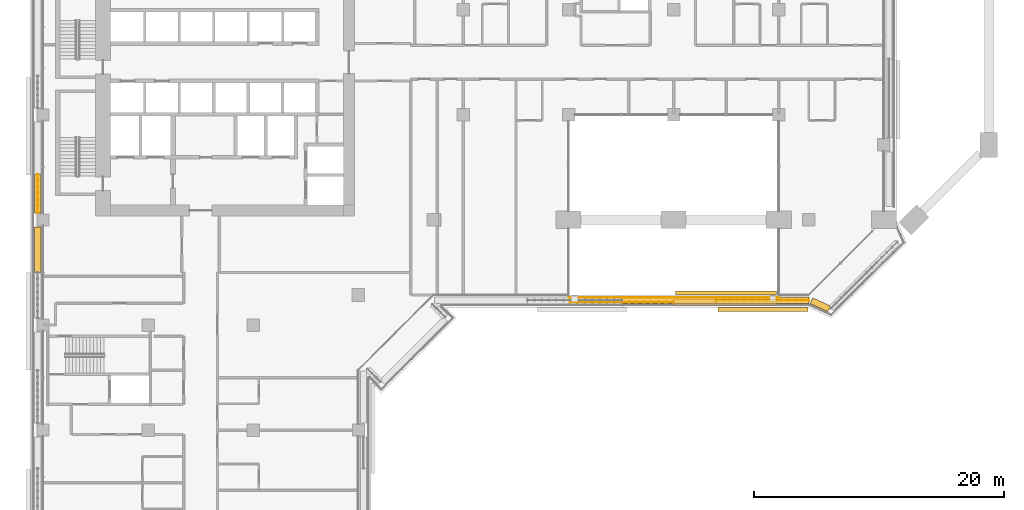
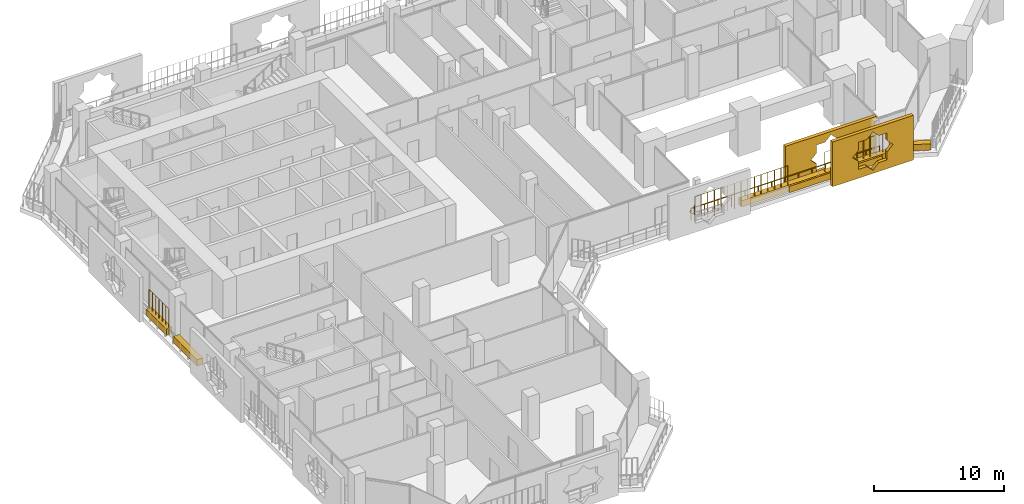
# One storey, part 21 of 24: 8 coverings, 4 railings.
"""IFC4 building model written with IfcOpenShell, lengths in metres."""

from ifc_helpers import new_model, si_unit, direction, frame, origin, origin_2d, place, context, subcontext, project, spatial, polyline, rectangle, circle, outline, extrude, material, material_profile, profile_set, type_object, element, save


model = new_model("IFC4")

# Units and contexts
model_context = context("Model", 3, precision=1e-05, world=origin(), true_north=direction((0.0, 1.0)))
body_context = subcontext(model_context, "Body", "Model", "MODEL_VIEW")
ifc_project = project(units=[si_unit("LENGTHUNIT", "METRE"), si_unit("AREAUNIT", "SQUARE_METRE"), si_unit("VOLUMEUNIT", "CUBIC_METRE"), si_unit("PLANEANGLEUNIT", "RADIAN"), si_unit("MASSUNIT", "GRAM", prefix="KILO")], contexts=[model_context])

# Site, building, storey
site_placement = place(None, origin())
site = spatial("IfcSite", under=ifc_project, at=site_placement, CompositionType="ELEMENT")
building_placement = place(site_placement, origin())
building = spatial("IfcBuilding", under=site, at=building_placement, Name="Kawkab Arch Medical Tower", CompositionType="ELEMENT")
storey_placement = place(building_placement, frame((0.0, 0.0, 162.60009765625)))
storey = spatial("IfcBuildingStorey", under=building, at=storey_placement, Name="L37", CompositionType="ELEMENT", Elevation=162.60009765625)

# Railing
ifc_material_1 = material(Name="Bronze anodised aluminium guard", Category="aluminium")
railing_type_1 = type_object("IfcRailingType", Name="Loggia and terrace guard 1100", PredefinedType="GUARDRAIL", material=ifc_material_1)
railing_1_placement = place(storey_placement, frame((42.030029296875, -31.39990234375, 0.0)))
element("IfcRailing", 1, at=railing_1_placement, inside=storey, type_object=railing_type_1, Name="Guard L37.LOG-01.1.1", PredefinedType="GUARDRAIL", context=body_context, shape_type="SweptSolid", body=[
    extrude(circle(Radius=0.02392578125, at=origin_2d()), frame((0.0, 0.0, 1.076171875), z_axis=(1.0, 0.0, 0.0), x_axis=(0.0, 1.0, 0.0)), (0.0, 0.0, 1.0), 16.739990234375),
    extrude(circle(Radius=0.02099609375, at=origin_2d()), origin(), (0.0, 0.0, 1.0), 1.052001953125),
    extrude(circle(Radius=0.02099609375, at=origin_2d()), frame((1.19580078125, 0.0, 0.0)), (0.0, 0.0, 1.0), 1.052001953125),
    extrude(circle(Radius=0.02099609375, at=origin_2d()), frame((2.391357421875, 0.0, 0.0)), (0.0, 0.0, 1.0), 1.052001953125),
    extrude(circle(Radius=0.02099609375, at=origin_2d()), frame((3.587158203125, 0.0, 0.0)), (0.0, 0.0, 1.0), 1.052001953125),
    extrude(circle(Radius=0.02099609375, at=origin_2d()), frame((4.782958984375, 0.0, 0.0)), (0.0, 0.0, 1.0), 1.052001953125),
    extrude(circle(Radius=0.02099609375, at=origin_2d()), frame((5.978515625, 0.0, 0.0)), (0.0, 0.0, 1.0), 1.052001953125),
    extrude(circle(Radius=0.02099609375, at=origin_2d()), frame((7.17431640625, 0.0, 0.0)), (0.0, 0.0, 1.0), 1.052001953125),
    extrude(circle(Radius=0.02099609375, at=origin_2d()), frame((8.3701171875, 0.0, 0.0)), (0.0, 0.0, 1.0), 1.052001953125),
    extrude(circle(Radius=0.02099609375, at=origin_2d()), frame((9.565673828125, 0.0, 0.0)), (0.0, 0.0, 1.0), 1.052001953125),
    extrude(circle(Radius=0.02099609375, at=origin_2d()), frame((10.761474609375, 0.0, 0.0)), (0.0, 0.0, 1.0), 1.052001953125),
    extrude(circle(Radius=0.02099609375, at=origin_2d()), frame((11.95703125, 0.0, 0.0)), (0.0, 0.0, 1.0), 1.052001953125),
    extrude(circle(Radius=0.02099609375, at=origin_2d()), frame((13.15283203125, 0.0, 0.0)), (0.0, 0.0, 1.0), 1.052001953125),
    extrude(circle(Radius=0.02099609375, at=origin_2d()), frame((14.3486328125, 0.0, 0.0)), (0.0, 0.0, 1.0), 1.052001953125),
    extrude(circle(Radius=0.02099609375, at=origin_2d()), frame((15.544189453125, 0.0, 0.0)), (0.0, 0.0, 1.0), 1.052001953125),
    extrude(circle(Radius=0.02099609375, at=origin_2d()), frame((16.739990234375, 0.0, 0.0)), (0.0, 0.0, 1.0), 1.052001953125),
])

# Coverings
ifc_material_2 = material(Name="Bronze anodised aluminium mashrabiya panel, eight-point star pattern", Category="aluminium")
ifc_material_profile_1 = material_profile(ifc_material_2, outline(polyline([(-3.60009765625, -2.10009765625), (3.60009765625, -2.10009765625), (3.60009765625, 2.10009765625), (-3.60009765625, 2.10009765625), (-3.60009765625, -2.10009765625)]), holes=[polyline([(1.800048828125, 0.0), (1.272705078125, 0.527099609375), (1.272705078125, 1.272705078125), (0.527099609375, 1.272705078125), (0.0, 1.800048828125), (-0.527099609375, 1.272705078125), (-1.272705078125, 1.272705078125), (-1.272705078125, 0.527099609375), (-1.800048828125, 0.0), (-1.272705078125, -0.527099609375), (-1.272705078125, -1.272705078125), (-0.527099609375, -1.272705078125), (0.0, -1.800048828125), (0.527099609375, -1.272705078125), (1.272705078125, -1.272705078125), (1.272705078125, -0.527099609375), (1.800048828125, 0.0)])]), Name="Mashrabiya panel 7200x4200")
ifc_profile_set_1 = profile_set([ifc_material_profile_1], Name="Bronze anodised aluminium mashrabiya panel, eight-point star pattern")
covering_type_1 = type_object("IfcCoveringType", Name="Mashrabiya panel 7200 x 4200", PredefinedType="USERDEFINED", material=ifc_profile_set_1)
covering_1_placement = place(storey_placement, frame((57.5546875, -32.199951171875, 1.699951171875), z_axis=(0.0, -1.0, 0.0), x_axis=(1.0, 0.0, 0.0)))
element("IfcCovering", 2, at=covering_1_placement, inside=storey, type_object=covering_type_1, Name="Mashrabiya panel L37.LOG-01-02.10", ObjectType="SCREEN", PredefinedType="USERDEFINED", context=body_context, shape_type="SweptSolid", body=[
    extrude(outline(polyline([(-3.60009765625, -2.10009765625), (3.60009765625, -2.10009765625), (3.60009765625, 2.10009765625), (-3.60009765625, 2.10009765625), (-3.60009765625, -2.10009765625)]), holes=[polyline([(1.800048828125, 0.0), (1.272705078125, 0.527099609375), (1.272705078125, 1.272705078125), (0.527099609375, 1.272705078125), (0.0, 1.800048828125), (-0.527099609375, 1.272705078125), (-1.272705078125, 1.272705078125), (-1.272705078125, 0.527099609375), (-1.800048828125, 0.0), (-1.272705078125, -0.527099609375), (-1.272705078125, -1.272705078125), (-0.527099609375, -1.272705078125), (0.0, -1.800048828125), (0.527099609375, -1.272705078125), (1.272705078125, -1.272705078125), (1.272705078125, -0.527099609375), (1.800048828125, 0.0)])]), origin(), (0.0, 0.0, 1.0), 0.300048828125),
])
ifc_material_3 = material(Name="Bronze anodised aluminium mashrabiya panel, eight-point star pattern", Category="aluminium")
ifc_material_profile_2 = material_profile(ifc_material_3, outline(polyline([(-4.050048828125, -2.10009765625), (4.050048828125, -2.10009765625), (4.050048828125, 2.10009765625), (-4.050048828125, 2.10009765625), (-4.050048828125, -2.10009765625)]), holes=[polyline([(1.800048828125, 0.0), (1.272705078125, 0.527099609375), (1.272705078125, 1.272705078125), (0.527099609375, 1.272705078125), (0.0, 1.800048828125), (-0.527099609375, 1.272705078125), (-1.272705078125, 1.272705078125), (-1.272705078125, 0.527099609375), (-1.800048828125, 0.0), (-1.272705078125, -0.527099609375), (-1.272705078125, -1.272705078125), (-0.527099609375, -1.272705078125), (0.0, -1.800048828125), (0.527099609375, -1.272705078125), (1.272705078125, -1.272705078125), (1.272705078125, -0.527099609375), (1.800048828125, 0.0)])]), Name="Mashrabiya panel 8100x4200")
ifc_profile_set_2 = profile_set([ifc_material_profile_2], Name="Bronze anodised aluminium mashrabiya panel, eight-point star pattern")
covering_type_2 = type_object("IfcCoveringType", Name="Mashrabiya panel 8100 x 4200", PredefinedType="USERDEFINED", material=ifc_profile_set_2)
covering_2_placement = place(storey_placement, frame((54.5849609375, -31.199951171875, 1.699951171875), z_axis=(0.0, 1.0, 0.0), x_axis=(-1.0, 0.0, 0.0)))
element("IfcCovering", 3, at=covering_2_placement, inside=storey, type_object=covering_type_2, Name="Mashrabiya panel L37.LOG-01-01.1", ObjectType="SCREEN", PredefinedType="USERDEFINED", context=body_context, shape_type="SweptSolid", body=[
    extrude(outline(polyline([(-4.050048828125, -2.10009765625), (4.050048828125, -2.10009765625), (4.050048828125, 2.10009765625), (-4.050048828125, 2.10009765625), (-4.050048828125, -2.10009765625)]), holes=[polyline([(1.800048828125, 0.0), (1.272705078125, 0.527099609375), (1.272705078125, 1.272705078125), (0.527099609375, 1.272705078125), (0.0, 1.800048828125), (-0.527099609375, 1.272705078125), (-1.272705078125, 1.272705078125), (-1.272705078125, 0.527099609375), (-1.800048828125, 0.0), (-1.272705078125, -0.527099609375), (-1.272705078125, -1.272705078125), (-0.527099609375, -1.272705078125), (0.0, -1.800048828125), (0.527099609375, -1.272705078125), (1.272705078125, -1.272705078125), (1.272705078125, -0.527099609375), (1.800048828125, 0.0)])]), origin(), (0.0, 0.0, 1.0), 0.300048828125),
])
ifc_material_4 = material(Name="Planting soil in a precast trough", Category="concrete")
ifc_material_profile_3 = material_profile(ifc_material_4, rectangle(XDim=0.5, YDim=0.60009765625, at=origin_2d()), Name="Trough 500x600")
ifc_profile_set_3 = profile_set([ifc_material_profile_3], Name="Planting soil in a precast trough")
covering_type_3 = type_object("IfcCoveringType", Name="Planter trough 500 x 600", PredefinedType="USERDEFINED", material=ifc_profile_set_3)
covering_3_placement = place(storey_placement, frame((50.39990234375, -31.780029296875, 0.2998046875), z_axis=(1.0, 0.0, 0.0), x_axis=(0.0, 1.0, 0.0)))
element("IfcCovering", 4, at=covering_3_placement, inside=storey, type_object=covering_type_3, Name="Planter L37.LOG-01-01.2", ObjectType="PLANTER", PredefinedType="USERDEFINED", context=body_context, shape_type="SweptSolid", body=[
    extrude(rectangle(XDim=0.5, YDim=0.60009765625, at=origin_2d()), origin(), (0.0, 0.0, 1.0), 8.27001953125),
])
covering_4_placement = place(storey_placement, frame((-0.419921875, -29.39990234375, 0.2998046875), z_axis=(0.0, 1.0, 0.0), x_axis=(-1.0, 0.0, 0.0)))
element("IfcCovering", 5, at=covering_4_placement, inside=storey, type_object=covering_type_3, Name="Planter L37.LOG-01-02.12", ObjectType="PLANTER", PredefinedType="USERDEFINED", context=body_context, shape_type="SweptSolid", body=[
    extrude(rectangle(XDim=0.5, YDim=0.60009765625, at=origin_2d()), origin(), (0.0, 0.0, 1.0), 3.64501953125),
])
covering_5_placement = place(storey_placement, frame((-0.419921875, -24.64501953125, 0.2998046875), z_axis=(0.0, 1.0, 0.0), x_axis=(-1.0, 0.0, 0.0)))
element("IfcCovering", 6, at=covering_5_placement, inside=storey, type_object=covering_type_3, Name="Planter L37.LOG-01-02.13", ObjectType="PLANTER", PredefinedType="USERDEFINED", context=body_context, shape_type="SweptSolid", body=[
    extrude(rectangle(XDim=0.5, YDim=0.60009765625, at=origin_2d()), origin(), (0.0, 0.0, 1.0), 3.0869140625),
])
covering_6_placement = place(storey_placement, frame((62.821044921875, -32.302001953125, 0.2998046875), z_axis=(-0.909655525109, 0.415363486165, 0.0), x_axis=(-0.415363486165, -0.909655525109, 0.0)))
element("IfcCovering", 7, at=covering_6_placement, inside=storey, type_object=covering_type_3, Name="Planter L37.LOG-01-02.34", ObjectType="PLANTER", PredefinedType="USERDEFINED", context=body_context, shape_type="SweptSolid", body=[
    extrude(rectangle(XDim=0.5, YDim=0.60009765625, at=origin_2d()), origin(), (0.0, 0.0, 1.0), 1.54345703125),
])
covering_7_placement = place(storey_placement, frame((61.22607421875, -31.6201171875, 0.2998046875), z_axis=(-1.0, 0.0, 0.0), x_axis=(0.0, -1.0, 0.0)))
element("IfcCovering", 8, at=covering_7_placement, inside=storey, type_object=covering_type_3, Name="Planter L37.LOG-01-02.35", ObjectType="PLANTER", PredefinedType="USERDEFINED", context=body_context, shape_type="SweptSolid", body=[
    extrude(rectangle(XDim=0.5, YDim=0.60009765625, at=origin_2d()), origin(), (0.0, 0.0, 1.0), 7.43505859375),
])
covering_8_placement = place(storey_placement, frame((53.791015625, -31.6201171875, 0.2998046875), z_axis=(-1.0, 0.0, 0.0), x_axis=(0.0, -1.0, 0.0)))
element("IfcCovering", 9, at=covering_8_placement, inside=storey, type_object=covering_type_3, Name="Planter L37.LOG-01-02.36", ObjectType="PLANTER", PredefinedType="USERDEFINED", context=body_context, shape_type="SweptSolid", body=[
    extrude(rectangle(XDim=0.5, YDim=0.60009765625, at=origin_2d()), origin(), (0.0, 0.0, 1.0), 7.5361328125),
])

# Railings
ifc_material_5 = material(Name="Bronze anodised aluminium trellis for climbing plants", Category="aluminium")
railing_type_2 = type_object("IfcRailingType", Name="Planting trellis 2400", PredefinedType="USERDEFINED", material=ifc_material_5)
railing_2_placement = place(storey_placement, frame((42.1298828125, -31.780029296875, 0.0)))
element("IfcRailing", 10, at=railing_2_placement, inside=storey, type_object=railing_type_2, Name="Planting trellis L37.LOG-01-01.1", ObjectType="TRELLIS", PredefinedType="USERDEFINED", context=body_context, shape_type="SweptSolid", body=[
    extrude(circle(Radius=0.01513671875, at=origin_2d()), frame((0.0, 0.0, 2.384765625), z_axis=(1.0, 0.0, 0.0), x_axis=(0.0, 1.0, 0.0)), (0.0, 0.0, 1.0), 8.27001953125),
    extrude(circle(Radius=0.030029296875, at=origin_2d()), origin(), (0.0, 0.0, 1.0), 2.369873046875),
    extrude(circle(Radius=0.030029296875, at=origin_2d()), frame((0.5908203125, 0.0, 0.0)), (0.0, 0.0, 1.0), 2.369873046875),
    extrude(circle(Radius=0.030029296875, at=origin_2d()), frame((1.181396484375, 0.0, 0.0)), (0.0, 0.0, 1.0), 2.369873046875),
    extrude(circle(Radius=0.030029296875, at=origin_2d()), frame((1.772216796875, 0.0, 0.0)), (0.0, 0.0, 1.0), 2.369873046875),
    extrude(circle(Radius=0.030029296875, at=origin_2d()), frame((2.36279296875, 0.0, 0.0)), (0.0, 0.0, 1.0), 2.369873046875),
    extrude(circle(Radius=0.030029296875, at=origin_2d()), frame((2.95361328125, 0.0, 0.0)), (0.0, 0.0, 1.0), 2.369873046875),
    extrude(circle(Radius=0.030029296875, at=origin_2d()), frame((3.544189453125, 0.0, 0.0)), (0.0, 0.0, 1.0), 2.369873046875),
    extrude(circle(Radius=0.030029296875, at=origin_2d()), frame((4.135009765625, 0.0, 0.0)), (0.0, 0.0, 1.0), 2.369873046875),
    extrude(circle(Radius=0.030029296875, at=origin_2d()), frame((4.725830078125, 0.0, 0.0)), (0.0, 0.0, 1.0), 2.369873046875),
    extrude(circle(Radius=0.030029296875, at=origin_2d()), frame((5.31640625, 0.0, 0.0)), (0.0, 0.0, 1.0), 2.369873046875),
    extrude(circle(Radius=0.030029296875, at=origin_2d()), frame((5.9072265625, 0.0, 0.0)), (0.0, 0.0, 1.0), 2.369873046875),
    extrude(circle(Radius=0.030029296875, at=origin_2d()), frame((6.497802734375, 0.0, 0.0)), (0.0, 0.0, 1.0), 2.369873046875),
    extrude(circle(Radius=0.030029296875, at=origin_2d()), frame((7.088623046875, 0.0, 0.0)), (0.0, 0.0, 1.0), 2.369873046875),
    extrude(circle(Radius=0.030029296875, at=origin_2d()), frame((7.67919921875, 0.0, 0.0)), (0.0, 0.0, 1.0), 2.369873046875),
    extrude(circle(Radius=0.030029296875, at=origin_2d()), frame((8.27001953125, 0.0, 0.0)), (0.0, 0.0, 1.0), 2.369873046875),
])
railing_3_placement = place(storey_placement, frame((-0.419921875, -24.64501953125, 0.0)))
element("IfcRailing", 11, at=railing_3_placement, inside=storey, type_object=railing_type_2, Name="Planting trellis L37.LOG-01-02.13", ObjectType="TRELLIS", PredefinedType="USERDEFINED", context=body_context, shape_type="SweptSolid", body=[
    extrude(circle(Radius=0.01513671875, at=origin_2d()), frame((0.0, 0.0, 2.384765625), z_axis=(0.0, 1.0, 0.0), x_axis=(-1.0, 0.0, 0.0)), (0.0, 0.0, 1.0), 3.0869140625),
    extrude(circle(Radius=0.030029296875, at=origin_2d()), origin(), (0.0, 0.0, 1.0), 2.369873046875),
    extrude(circle(Radius=0.030029296875, at=origin_2d()), frame((0.0, 0.514404296875, 0.0)), (0.0, 0.0, 1.0), 2.369873046875),
    extrude(circle(Radius=0.030029296875, at=origin_2d()), frame((0.0, 1.029052734375, 0.0)), (0.0, 0.0, 1.0), 2.369873046875),
    extrude(circle(Radius=0.030029296875, at=origin_2d()), frame((0.0, 1.54345703125, 0.0)), (0.0, 0.0, 1.0), 2.369873046875),
    extrude(circle(Radius=0.030029296875, at=origin_2d()), frame((0.0, 2.057861328125, 0.0)), (0.0, 0.0, 1.0), 2.369873046875),
    extrude(circle(Radius=0.030029296875, at=origin_2d()), frame((0.0, 2.572509765625, 0.0)), (0.0, 0.0, 1.0), 2.369873046875),
    extrude(circle(Radius=0.030029296875, at=origin_2d()), frame((0.0, 3.0869140625, 0.0)), (0.0, 0.0, 1.0), 2.369873046875),
])
railing_4_placement = place(storey_placement, frame((61.22607421875, -31.6201171875, 0.0)))
element("IfcRailing", 12, at=railing_4_placement, inside=storey, type_object=railing_type_2, Name="Planting trellis L37.LOG-01-02.35", ObjectType="TRELLIS", PredefinedType="USERDEFINED", context=body_context, shape_type="SweptSolid", body=[
    extrude(circle(Radius=0.01513671875, at=origin_2d()), frame((0.0, 0.0, 2.384765625), z_axis=(-1.0, 0.0, 0.0), x_axis=(0.0, -1.0, 0.0)), (0.0, 0.0, 1.0), 7.43505859375),
    extrude(circle(Radius=0.030029296875, at=origin_2d()), origin(), (0.0, 0.0, 1.0), 2.369873046875),
    extrude(circle(Radius=0.030029296875, at=origin_2d()), frame((-0.572021484375, 0.0, 0.0)), (0.0, 0.0, 1.0), 2.369873046875),
    extrude(circle(Radius=0.030029296875, at=origin_2d()), frame((-1.143798828125, 0.0, 0.0)), (0.0, 0.0, 1.0), 2.369873046875),
    extrude(circle(Radius=0.030029296875, at=origin_2d()), frame((-1.7158203125, 0.0, 0.0)), (0.0, 0.0, 1.0), 2.369873046875),
    extrude(circle(Radius=0.030029296875, at=origin_2d()), frame((-2.28759765625, 0.0, 0.0)), (0.0, 0.0, 1.0), 2.369873046875),
    extrude(circle(Radius=0.030029296875, at=origin_2d()), frame((-2.859619140625, 0.0, 0.0)), (0.0, 0.0, 1.0), 2.369873046875),
    extrude(circle(Radius=0.030029296875, at=origin_2d()), frame((-3.431640625, 0.0, 0.0)), (0.0, 0.0, 1.0), 2.369873046875),
    extrude(circle(Radius=0.030029296875, at=origin_2d()), frame((-4.00341796875, 0.0, 0.0)), (0.0, 0.0, 1.0), 2.369873046875),
    extrude(circle(Radius=0.030029296875, at=origin_2d()), frame((-4.575439453125, 0.0, 0.0)), (0.0, 0.0, 1.0), 2.369873046875),
    extrude(circle(Radius=0.030029296875, at=origin_2d()), frame((-5.1474609375, 0.0, 0.0)), (0.0, 0.0, 1.0), 2.369873046875),
    extrude(circle(Radius=0.030029296875, at=origin_2d()), frame((-5.71923828125, 0.0, 0.0)), (0.0, 0.0, 1.0), 2.369873046875),
    extrude(circle(Radius=0.030029296875, at=origin_2d()), frame((-6.291259765625, 0.0, 0.0)), (0.0, 0.0, 1.0), 2.369873046875),
    extrude(circle(Radius=0.030029296875, at=origin_2d()), frame((-6.863037109375, 0.0, 0.0)), (0.0, 0.0, 1.0), 2.369873046875),
    extrude(circle(Radius=0.030029296875, at=origin_2d()), frame((-7.43505859375, 0.0, 0.0)), (0.0, 0.0, 1.0), 2.369873046875),
])

save(model, "model.ifc")
